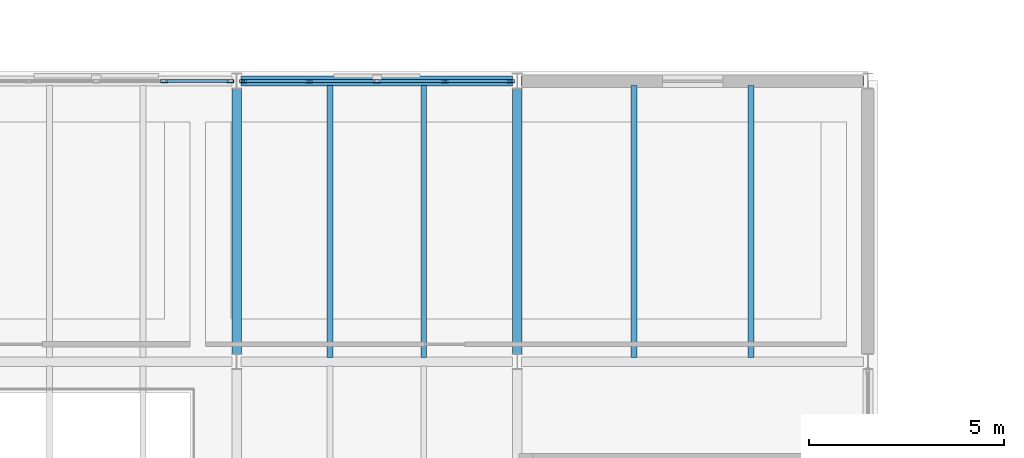
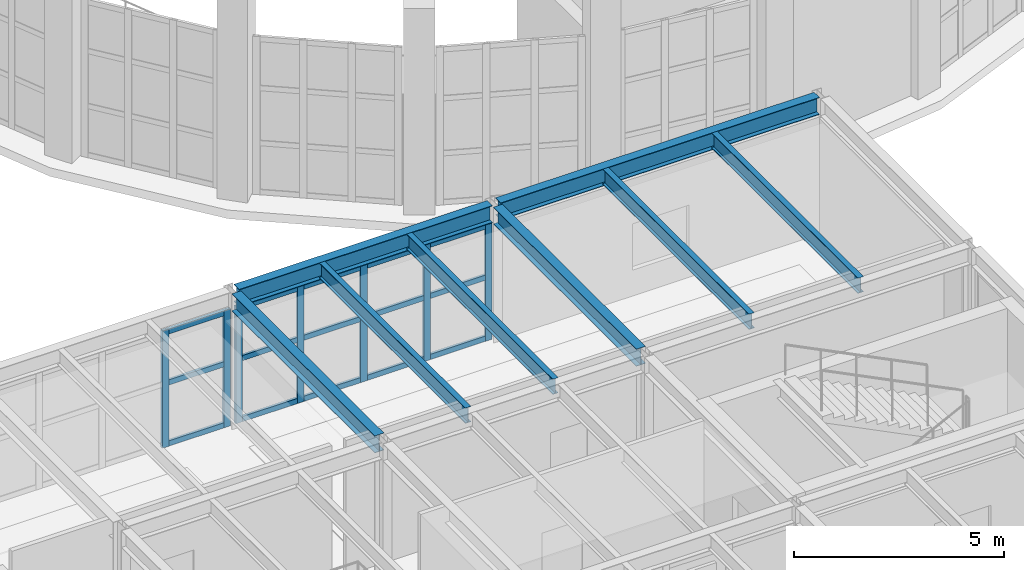
# One storey, part 24 of 59: 22 members, 8 beams, 2 elements without a shape of their own.
"""IFC4 building model written with IfcOpenShell, lengths in metres."""

from ifc_helpers import new_model, si_unit, direction, frame, origin, origin_2d, place, context, subcontext, project, spatial, hollow_rectangle, i_section, extrude, material, layer, layer_set, material_profile, profile_set, type_object, element, aggregate, save


model = new_model("IFC4")

# Units and contexts
model_context = context("Model", 3, precision=1e-05, world=origin(), true_north=direction((0.0, 1.0)))
body_context = subcontext(model_context, "Body", "Model", "MODEL_VIEW")
ifc_project = project(units=[si_unit("LENGTHUNIT", "METRE"), si_unit("AREAUNIT", "SQUARE_METRE"), si_unit("VOLUMEUNIT", "CUBIC_METRE"), si_unit("PLANEANGLEUNIT", "RADIAN"), si_unit("MASSUNIT", "GRAM", prefix="KILO")], contexts=[model_context])

# Site, building, storey
site_placement = place(None, origin())
site = spatial("IfcSite", under=ifc_project, at=site_placement, CompositionType="ELEMENT")
building_placement = place(site_placement, origin())
building = spatial("IfcBuilding", under=site, at=building_placement, Name="Kandorven Conservatory and Botanical Research Centre", CompositionType="ELEMENT")
storey_placement = place(building_placement, frame((0.0, 0.0, 4.800048828125)))
storey = spatial("IfcBuildingStorey", under=building, at=storey_placement, Name="L01", CompositionType="ELEMENT", Elevation=4.800048828125)

# Beams
ifc_material_1 = material(Name="Steel S355 (IS 2062 E350)", Category="steel")
ifc_material_profile_1 = material_profile(ifc_material_1, i_section(OverallWidth=0.25, OverallDepth=0.5, WebThickness=0.010009765625, FlangeThickness=0.0146484375, at=origin_2d()))
ifc_profile_set_1 = profile_set([ifc_material_profile_1], Name="Steel S355 (IS 2062 E350)")
beam_type_1 = type_object("IfcBeamType", Name="Beam_FG-02", PredefinedType="USERDEFINED", material=ifc_profile_set_1)
beam_1_placement = place(storey_placement, frame((70.9150390625, 27.60009765625, 3.699951171875), z_axis=(1.0, 0.0, 0.0), x_axis=(0.0, 1.0, 0.0)))
element("IfcBeam", 1, at=beam_1_placement, inside=storey, type_object=beam_type_1, Name="Primary girder FG-02 VIS L01", ObjectType="GIRDER", PredefinedType="USERDEFINED", context=body_context, shape_type="SweptSolid", body=[
    extrude(i_section(OverallWidth=0.25, OverallDepth=0.5, WebThickness=0.010009765625, FlangeThickness=0.0146484375, at=origin_2d()), origin(), (0.0, 0.0, 1.0), 6.969970703125),
])
beam_2_placement = place(storey_placement, frame((78.114990234375, 27.60009765625, 3.699951171875), z_axis=(1.0, 0.0, 0.0), x_axis=(0.0, 1.0, 0.0)))
element("IfcBeam", 2, at=beam_2_placement, inside=storey, type_object=beam_type_1, Name="Primary girder FG-02 VIS L01", ObjectType="GIRDER", PredefinedType="USERDEFINED", context=body_context, shape_type="SweptSolid", body=[
    extrude(i_section(OverallWidth=0.25, OverallDepth=0.5, WebThickness=0.010009765625, FlangeThickness=0.0146484375, at=origin_2d()), origin(), (0.0, 0.0, 1.0), 8.77001953125),
])
for number, where, z_axis, x_axis, name in (
    (3, (70.800048828125, 20.590087890625, 3.699951171875), (0.0, 1.0, 0.0), (-1.0, 0.0, 0.0), "Primary girder FG-02 VIS L01"),
    (4, (78.0, 20.590087890625, 3.699951171875), (0.0, 1.0, 0.0), (-1.0, 0.0, 0.0), "Primary girder FG-02 VIS L01"),
):
    element("IfcBeam", number, at=place(storey_placement, frame(where, z_axis=z_axis, x_axis=x_axis)), inside=storey, type_object=beam_type_1, Name=name, ObjectType="GIRDER", PredefinedType="USERDEFINED", context=body_context, shape_type="SweptSolid", body=[
        extrude(i_section(OverallWidth=0.25, OverallDepth=0.5, WebThickness=0.010009765625, FlangeThickness=0.0146484375, at=origin_2d()), origin(), (0.0, 0.0, 1.0), 6.81982421875),
    ])
ifc_material_2 = material(Name="Steel S355 (IS 2062 E350)", Category="steel")
ifc_material_profile_2 = material_profile(ifc_material_2, i_section(OverallWidth=0.14990234375, OverallDepth=0.449951171875, WebThickness=0.009521484375, FlangeThickness=0.017333984375, at=origin_2d()))
ifc_profile_set_2 = profile_set([ifc_material_profile_2], Name="Steel S355 (IS 2062 E350)")
beam_type_2 = type_object("IfcBeamType", Name="Beam_SB-04", PredefinedType="BEAM", material=ifc_profile_set_2)
for number, where, z_axis, x_axis, name in (
    (5, (73.199951171875, 20.510009765625, 3.724853515625), (0.0, 1.0, 0.0), (-1.0, 0.0, 0.0), "Composite secondary beam SB-04 VIS L01"),
    (6, (75.60009765625, 20.510009765625, 3.724853515625), (0.0, 1.0, 0.0), (-1.0, 0.0, 0.0), "Composite secondary beam SB-04 VIS L01"),
    (7, (81.0, 20.510009765625, 3.724853515625), (0.0, 1.0, 0.0), (-1.0, 0.0, 0.0), "Composite secondary beam SB-04 VIS L01"),
    (8, (84.0, 20.510009765625, 3.724853515625), (0.0, 1.0, 0.0), (-1.0, 0.0, 0.0), "Composite secondary beam SB-04 VIS L01"),
):
    element("IfcBeam", number, at=place(storey_placement, frame(where, z_axis=z_axis, x_axis=x_axis)), inside=storey, type_object=beam_type_2, Name=name, PredefinedType="BEAM", context=body_context, shape_type="SweptSolid", body=[
        extrude(i_section(OverallWidth=0.14990234375, OverallDepth=0.449951171875, WebThickness=0.009521484375, FlangeThickness=0.017333984375, at=origin_2d()), origin(), (0.0, 0.0, 1.0), 6.97998046875),
    ])

# Curtain wall, members
ifc_material_3 = material(Name="Bronze anodised thermally broken aluminium", Category="aluminium")
ifc_layer = layer(ifc_material_3, 0.179931640625)
ifc_layer_set = layer_set([ifc_layer], Name="Bronze anodised thermally broken aluminium")
curtain_wall_type = type_object("IfcCurtainWallType", Name="CW_Unitised", PredefinedType="USERDEFINED", material=ifc_layer_set)
curtain_wall_1_placement = place(storey_placement, origin())
curtain_wall_1 = element("IfcCurtainWall", 9, at=curtain_wall_1_placement, inside=storey, type_object=curtain_wall_type, Name="Visitor wing unitised curtain wall CW-VIS-N-L01-4", ObjectType="UNITISED GLAZING", PredefinedType="USERDEFINED")
ifc_material_4 = material(Name="Bronze anodised thermally broken aluminium", Category="aluminium")
ifc_material_profile_3 = material_profile(ifc_material_4, hollow_rectangle(XDim=0.080078125, YDim=0.179931640625, WallThickness=0.006103515625, at=origin_2d()))
ifc_profile_set_3 = profile_set([ifc_material_profile_3], Name="Bronze anodised thermally broken aluminium")
member_type_1 = type_object("IfcMemberType", Name="CW_Mullion", PredefinedType="MULLION", material=ifc_profile_set_3)
member_1_placement = place(storey_placement, frame((68.9375, 27.60009765625, 0.0), z_axis=(0.0, 0.0, 1.0), x_axis=(0.0, 1.0, 0.0)))
member_1 = element("IfcMember", 10, at=member_1_placement, type_object=member_type_1, Name="CW-01 mullion 4", PredefinedType="MULLION", context=body_context, shape_type="SweptSolid", body=[
    extrude(hollow_rectangle(XDim=0.080078125, YDim=0.179931640625, WallThickness=0.006103515625, at=origin_2d()), origin(), (0.0, 0.0, 1.0), 3.409912109375),
])
member_2_placement = place(storey_placement, frame((70.635009765625, 27.60009765625, 0.0), z_axis=(0.0, 0.0, 1.0), x_axis=(0.0, 1.0, 0.0)))
member_2 = element("IfcMember", 11, at=member_2_placement, type_object=member_type_1, Name="CW-01 mullion 5", PredefinedType="MULLION", context=body_context, shape_type="SweptSolid", body=[
    extrude(hollow_rectangle(XDim=0.080078125, YDim=0.179931640625, WallThickness=0.006103515625, at=origin_2d()), origin(), (0.0, 0.0, 1.0), 3.409912109375),
])

curtain_wall_2_placement = place(storey_placement, origin())
curtain_wall_2 = element("IfcCurtainWall", 12, at=curtain_wall_2_placement, inside=storey, type_object=curtain_wall_type, Name="Visitor wing unitised curtain wall CW-VIS-N-L01-5", ObjectType="UNITISED GLAZING", PredefinedType="USERDEFINED")
member_3_placement = place(storey_placement, frame((70.965087890625, 27.60009765625, 0.0), z_axis=(0.0, 0.0, 1.0), x_axis=(0.0, 1.0, 0.0)))
member_3 = element("IfcMember", 13, at=member_3_placement, type_object=member_type_1, Name="CW-01 mullion 1", PredefinedType="MULLION", context=body_context, shape_type="SweptSolid", body=[
    extrude(hollow_rectangle(XDim=0.080078125, YDim=0.179931640625, WallThickness=0.006103515625, at=origin_2d()), origin(), (0.0, 0.0, 1.0), 3.409912109375),
])
member_4_placement = place(storey_placement, frame((72.66259765625, 27.60009765625, 0.0), z_axis=(0.0, 0.0, 1.0), x_axis=(0.0, 1.0, 0.0)))
member_4 = element("IfcMember", 14, at=member_4_placement, type_object=member_type_1, Name="CW-01 mullion 2", PredefinedType="MULLION", context=body_context, shape_type="SweptSolid", body=[
    extrude(hollow_rectangle(XDim=0.080078125, YDim=0.179931640625, WallThickness=0.006103515625, at=origin_2d()), origin(), (0.0, 0.0, 1.0), 3.409912109375),
])
member_5_placement = place(storey_placement, frame((74.39990234375, 27.60009765625, 0.0), z_axis=(0.0, 0.0, 1.0), x_axis=(0.0, 1.0, 0.0)))
member_5 = element("IfcMember", 15, at=member_5_placement, type_object=member_type_1, Name="CW-01 mullion 3", PredefinedType="MULLION", context=body_context, shape_type="SweptSolid", body=[
    extrude(hollow_rectangle(XDim=0.080078125, YDim=0.179931640625, WallThickness=0.006103515625, at=origin_2d()), origin(), (0.0, 0.0, 1.0), 3.409912109375),
])
member_6_placement = place(storey_placement, frame((76.137451171875, 27.60009765625, 0.0), z_axis=(0.0, 0.0, 1.0), x_axis=(0.0, 1.0, 0.0)))
member_6 = element("IfcMember", 16, at=member_6_placement, type_object=member_type_1, Name="CW-01 mullion 4", PredefinedType="MULLION", context=body_context, shape_type="SweptSolid", body=[
    extrude(hollow_rectangle(XDim=0.080078125, YDim=0.179931640625, WallThickness=0.006103515625, at=origin_2d()), origin(), (0.0, 0.0, 1.0), 3.409912109375),
])
member_7_placement = place(storey_placement, frame((77.8349609375, 27.60009765625, 0.0), z_axis=(0.0, 0.0, 1.0), x_axis=(0.0, 1.0, 0.0)))
member_7 = element("IfcMember", 17, at=member_7_placement, type_object=member_type_1, Name="CW-01 mullion 5", PredefinedType="MULLION", context=body_context, shape_type="SweptSolid", body=[
    extrude(hollow_rectangle(XDim=0.080078125, YDim=0.179931640625, WallThickness=0.006103515625, at=origin_2d()), origin(), (0.0, 0.0, 1.0), 3.409912109375),
])

# Member
ifc_material_5 = material(Name="Bronze anodised thermally broken aluminium", Category="aluminium")
ifc_material_profile_4 = material_profile(ifc_material_5, hollow_rectangle(XDim=0.074951171875, YDim=0.14990234375, WallThickness=0.006103515625, at=origin_2d()))
ifc_profile_set_4 = profile_set([ifc_material_profile_4], Name="Bronze anodised thermally broken aluminium")
member_type_2 = type_object("IfcMemberType", Name="CW_Transom", PredefinedType="USERDEFINED", material=ifc_profile_set_4)
member_8_placement = place(storey_placement, frame((68.9775390625, 27.60009765625, 0.074951171875), z_axis=(1.0, 0.0, 0.0), x_axis=(0.0, 1.0, 0.0)))
member_8 = element("IfcMember", 18, at=member_8_placement, type_object=member_type_2, Name="CW-01 transom 4.1", ObjectType="TRANSOM", PredefinedType="USERDEFINED", context=body_context, shape_type="SweptSolid", body=[
    extrude(hollow_rectangle(XDim=0.074951171875, YDim=0.14990234375, WallThickness=0.006103515625, at=origin_2d()), origin(), (0.0, 0.0, 1.0), 1.617431640625),
])

member_9_placement = place(storey_placement, frame((68.9775390625, 27.60009765625, 1.849853515625), z_axis=(1.0, 0.0, 0.0), x_axis=(0.0, 1.0, 0.0)))
member_9 = element("IfcMember", 19, at=member_9_placement, type_object=member_type_2, Name="CW-01 transom 4.2", ObjectType="TRANSOM", PredefinedType="USERDEFINED", context=body_context, shape_type="SweptSolid", body=[
    extrude(hollow_rectangle(XDim=0.074951171875, YDim=0.14990234375, WallThickness=0.006103515625, at=origin_2d()), origin(), (0.0, 0.0, 1.0), 1.617431640625),
])

member_10_placement = place(storey_placement, frame((68.9775390625, 27.60009765625, 3.3349609375), z_axis=(1.0, 0.0, 0.0), x_axis=(0.0, 1.0, 0.0)))
member_10 = element("IfcMember", 20, at=member_10_placement, type_object=member_type_2, Name="CW-01 transom 4.3", ObjectType="TRANSOM", PredefinedType="USERDEFINED", context=body_context, shape_type="SweptSolid", body=[
    extrude(hollow_rectangle(XDim=0.074951171875, YDim=0.14990234375, WallThickness=0.006103515625, at=origin_2d()), origin(), (0.0, 0.0, 1.0), 1.617431640625),
])

aggregate(curtain_wall_1, [member_1, member_2, member_8, member_9, member_10])

member_11_placement = place(storey_placement, frame((71.0048828125, 27.60009765625, 0.074951171875), z_axis=(1.0, 0.0, 0.0), x_axis=(0.0, 1.0, 0.0)))
member_11 = element("IfcMember", 21, at=member_11_placement, type_object=member_type_2, Name="CW-01 transom 1.1", ObjectType="TRANSOM", PredefinedType="USERDEFINED", context=body_context, shape_type="SweptSolid", body=[
    extrude(hollow_rectangle(XDim=0.074951171875, YDim=0.14990234375, WallThickness=0.006103515625, at=origin_2d()), origin(), (0.0, 0.0, 1.0), 1.61767578125),
])

member_12_placement = place(storey_placement, frame((71.0048828125, 27.60009765625, 1.849853515625), z_axis=(1.0, 0.0, 0.0), x_axis=(0.0, 1.0, 0.0)))
member_12 = element("IfcMember", 22, at=member_12_placement, type_object=member_type_2, Name="CW-01 transom 1.2", ObjectType="TRANSOM", PredefinedType="USERDEFINED", context=body_context, shape_type="SweptSolid", body=[
    extrude(hollow_rectangle(XDim=0.074951171875, YDim=0.14990234375, WallThickness=0.006103515625, at=origin_2d()), origin(), (0.0, 0.0, 1.0), 1.61767578125),
])

member_13_placement = place(storey_placement, frame((71.0048828125, 27.60009765625, 3.3349609375), z_axis=(1.0, 0.0, 0.0), x_axis=(0.0, 1.0, 0.0)))
member_13 = element("IfcMember", 23, at=member_13_placement, type_object=member_type_2, Name="CW-01 transom 1.3", ObjectType="TRANSOM", PredefinedType="USERDEFINED", context=body_context, shape_type="SweptSolid", body=[
    extrude(hollow_rectangle(XDim=0.074951171875, YDim=0.14990234375, WallThickness=0.006103515625, at=origin_2d()), origin(), (0.0, 0.0, 1.0), 1.61767578125),
])

member_14_placement = place(storey_placement, frame((72.702392578125, 27.60009765625, 0.074951171875), z_axis=(1.0, 0.0, 0.0), x_axis=(0.0, 1.0, 0.0)))
member_14 = element("IfcMember", 24, at=member_14_placement, type_object=member_type_2, Name="CW-01 transom 2.1", ObjectType="TRANSOM", PredefinedType="USERDEFINED", context=body_context, shape_type="SweptSolid", body=[
    extrude(hollow_rectangle(XDim=0.074951171875, YDim=0.14990234375, WallThickness=0.006103515625, at=origin_2d()), origin(), (0.0, 0.0, 1.0), 1.65771484375),
])

member_15_placement = place(storey_placement, frame((72.702392578125, 27.60009765625, 1.849853515625), z_axis=(1.0, 0.0, 0.0), x_axis=(0.0, 1.0, 0.0)))
member_15 = element("IfcMember", 25, at=member_15_placement, type_object=member_type_2, Name="CW-01 transom 2.2", ObjectType="TRANSOM", PredefinedType="USERDEFINED", context=body_context, shape_type="SweptSolid", body=[
    extrude(hollow_rectangle(XDim=0.074951171875, YDim=0.14990234375, WallThickness=0.006103515625, at=origin_2d()), origin(), (0.0, 0.0, 1.0), 1.65771484375),
])

member_16_placement = place(storey_placement, frame((72.702392578125, 27.60009765625, 3.3349609375), z_axis=(1.0, 0.0, 0.0), x_axis=(0.0, 1.0, 0.0)))
member_16 = element("IfcMember", 26, at=member_16_placement, type_object=member_type_2, Name="CW-01 transom 2.3", ObjectType="TRANSOM", PredefinedType="USERDEFINED", context=body_context, shape_type="SweptSolid", body=[
    extrude(hollow_rectangle(XDim=0.074951171875, YDim=0.14990234375, WallThickness=0.006103515625, at=origin_2d()), origin(), (0.0, 0.0, 1.0), 1.65771484375),
])

member_17_placement = place(storey_placement, frame((74.43994140625, 27.60009765625, 0.074951171875), z_axis=(1.0, 0.0, 0.0), x_axis=(0.0, 1.0, 0.0)))
member_17 = element("IfcMember", 27, at=member_17_placement, type_object=member_type_2, Name="CW-01 transom 3.1", ObjectType="TRANSOM", PredefinedType="USERDEFINED", context=body_context, shape_type="SweptSolid", body=[
    extrude(hollow_rectangle(XDim=0.074951171875, YDim=0.14990234375, WallThickness=0.006103515625, at=origin_2d()), origin(), (0.0, 0.0, 1.0), 1.657470703125),
])

member_18_placement = place(storey_placement, frame((74.43994140625, 27.60009765625, 1.849853515625), z_axis=(1.0, 0.0, 0.0), x_axis=(0.0, 1.0, 0.0)))
member_18 = element("IfcMember", 28, at=member_18_placement, type_object=member_type_2, Name="CW-01 transom 3.2", ObjectType="TRANSOM", PredefinedType="USERDEFINED", context=body_context, shape_type="SweptSolid", body=[
    extrude(hollow_rectangle(XDim=0.074951171875, YDim=0.14990234375, WallThickness=0.006103515625, at=origin_2d()), origin(), (0.0, 0.0, 1.0), 1.657470703125),
])

member_19_placement = place(storey_placement, frame((74.43994140625, 27.60009765625, 3.3349609375), z_axis=(1.0, 0.0, 0.0), x_axis=(0.0, 1.0, 0.0)))
member_19 = element("IfcMember", 29, at=member_19_placement, type_object=member_type_2, Name="CW-01 transom 3.3", ObjectType="TRANSOM", PredefinedType="USERDEFINED", context=body_context, shape_type="SweptSolid", body=[
    extrude(hollow_rectangle(XDim=0.074951171875, YDim=0.14990234375, WallThickness=0.006103515625, at=origin_2d()), origin(), (0.0, 0.0, 1.0), 1.657470703125),
])

member_20_placement = place(storey_placement, frame((76.177490234375, 27.60009765625, 0.074951171875), z_axis=(1.0, 0.0, 0.0), x_axis=(0.0, 1.0, 0.0)))
member_20 = element("IfcMember", 30, at=member_20_placement, type_object=member_type_2, Name="CW-01 transom 4.1", ObjectType="TRANSOM", PredefinedType="USERDEFINED", context=body_context, shape_type="SweptSolid", body=[
    extrude(hollow_rectangle(XDim=0.074951171875, YDim=0.14990234375, WallThickness=0.006103515625, at=origin_2d()), origin(), (0.0, 0.0, 1.0), 1.617431640625),
])

member_21_placement = place(storey_placement, frame((76.177490234375, 27.60009765625, 1.849853515625), z_axis=(1.0, 0.0, 0.0), x_axis=(0.0, 1.0, 0.0)))
member_21 = element("IfcMember", 31, at=member_21_placement, type_object=member_type_2, Name="CW-01 transom 4.2", ObjectType="TRANSOM", PredefinedType="USERDEFINED", context=body_context, shape_type="SweptSolid", body=[
    extrude(hollow_rectangle(XDim=0.074951171875, YDim=0.14990234375, WallThickness=0.006103515625, at=origin_2d()), origin(), (0.0, 0.0, 1.0), 1.617431640625),
])

member_22_placement = place(storey_placement, frame((76.177490234375, 27.60009765625, 3.3349609375), z_axis=(1.0, 0.0, 0.0), x_axis=(0.0, 1.0, 0.0)))
member_22 = element("IfcMember", 32, at=member_22_placement, type_object=member_type_2, Name="CW-01 transom 4.3", ObjectType="TRANSOM", PredefinedType="USERDEFINED", context=body_context, shape_type="SweptSolid", body=[
    extrude(hollow_rectangle(XDim=0.074951171875, YDim=0.14990234375, WallThickness=0.006103515625, at=origin_2d()), origin(), (0.0, 0.0, 1.0), 1.617431640625),
])

aggregate(curtain_wall_2, [member_3, member_4, member_5, member_6, member_7, member_11, member_12, member_13, member_14, member_15, member_16, member_17, member_18, member_19, member_20, member_21, member_22])

save(model, "model.ifc")
